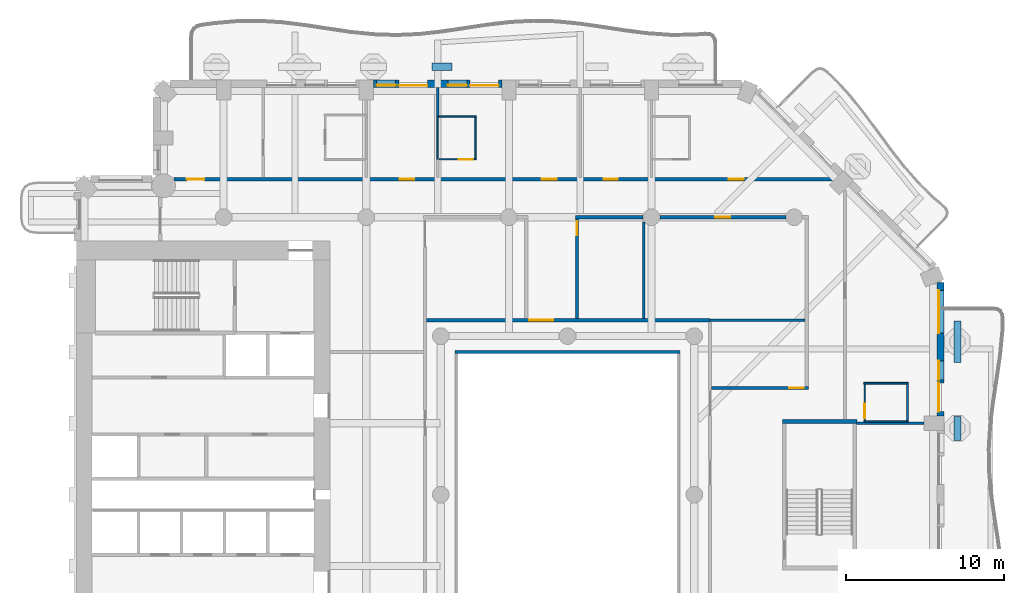
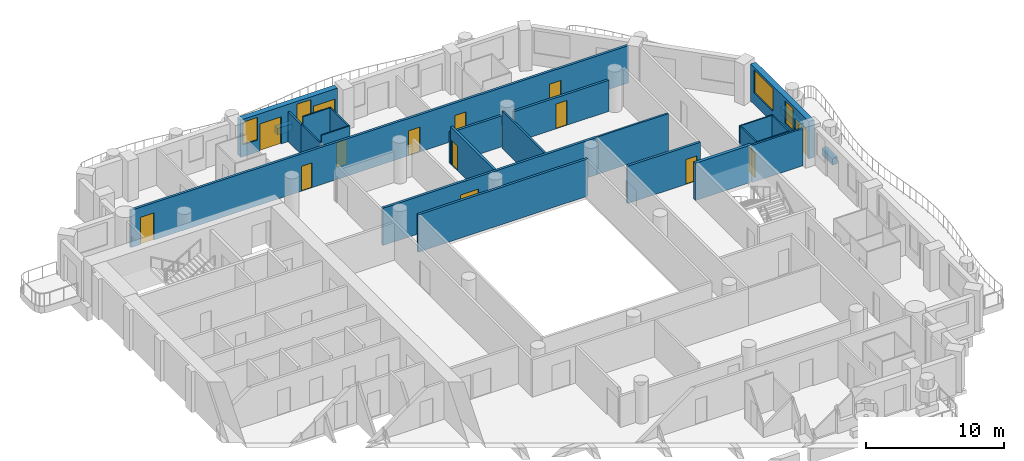
# One storey, part 8 of 19: 25 walls, 14 doors, 4 windows, 18 openings.
"""IFC4 building model written with IfcOpenShell, lengths in metres."""

from ifc_helpers import new_model, si_unit, direction, frame, frame_2d, origin, place, context, subcontext, project, spatial, rectangle, extrude, material, layer, layer_set, type_object, element, fill, save


model = new_model("IFC4")

# Units and contexts
model_context = context("Model", 3, precision=1e-05, world=origin(), true_north=direction((0.0, 1.0)))
body_context = subcontext(model_context, "Body", "Model", "MODEL_VIEW")
ifc_project = project(units=[si_unit("LENGTHUNIT", "METRE"), si_unit("AREAUNIT", "SQUARE_METRE"), si_unit("VOLUMEUNIT", "CUBIC_METRE"), si_unit("PLANEANGLEUNIT", "RADIAN"), si_unit("MASSUNIT", "GRAM", prefix="KILO")], contexts=[model_context])

# Site, building, storey
site_placement = place(None, origin())
site = spatial("IfcSite", under=ifc_project, at=site_placement, CompositionType="ELEMENT")
building_placement = place(site_placement, origin())
building = spatial("IfcBuilding", under=site, at=building_placement, Name="Cypress Arch Tower", CompositionType="ELEMENT")
storey_placement = place(building_placement, frame((0.0, 0.0, 105.89990234375)))
storey = spatial("IfcBuildingStorey", under=building, at=storey_placement, Name="L21", CompositionType="ELEMENT", Elevation=105.89990234375)

# Walls
ifc_material_1 = material(Name="Concrete C40/50, waterproofed", Category="concrete")
ifc_layer_1 = layer(ifc_material_1, 0.449951171875)
ifc_layer_set_1 = layer_set([ifc_layer_1], Name="Balcony planter wall PW450")
wall_type_1 = type_object("IfcWallType", Name="Balcony planter wall PW450", PredefinedType="SOLIDWALL", material=ifc_layer_set_1)
wall_1_placement = place(storey_placement, frame((25.60009765625, 3.42138671875, 0.0), z_axis=(0.0, 0.0, 1.0), x_axis=(0.0, 1.0, 0.0)))
element("IfcWall", 1, at=wall_1_placement, inside=storey, type_object=wall_type_1, Name="Balcony planter wall L21-A06.3", PredefinedType="SOLIDWALL", context=body_context, shape_type="SweptSolid", body=[
    extrude(rectangle(XDim=1.5224609375, YDim=0.449951171875, at=frame_2d((0.76123046875, 0.0))), origin(), (0.0, 0.0, 1.0), 0.60009765625),
])
wall_2_placement = place(storey_placement, frame((25.60009765625, 8.335693359375, 0.0), z_axis=(0.0, 0.0, 1.0), x_axis=(0.0, 1.0, 0.0)))
element("IfcWall", 2, at=wall_2_placement, inside=storey, type_object=wall_type_1, Name="Balcony planter wall L21-A06.4", PredefinedType="SOLIDWALL", context=body_context, shape_type="SweptSolid", body=[
    extrude(rectangle(XDim=2.6142578125, YDim=0.449951171875, at=frame_2d((1.30712890625, 0.0))), origin(), (0.0, 0.0, 1.0), 0.60009765625),
])
wall_3_placement = place(storey_placement, frame((-6.300048828125, 27.0, 0.0), z_axis=(0.0, 0.0, 1.0), x_axis=(-1.0, 0.0, 0.0)))
element("IfcWall", 3, at=wall_3_placement, inside=storey, type_object=wall_type_1, Name="Balcony planter wall L21-A08.3", PredefinedType="SOLIDWALL", context=body_context, shape_type="SweptSolid", body=[
    extrude(rectangle(XDim=1.25, YDim=0.449951171875, at=frame_2d((0.625, 0.0))), origin(), (0.0, 0.0, 1.0), 0.60009765625),
])

# Wall, openings, door, windows
ifc_material_2 = material(Name="Brick (red buff blend)", Category="masonry")
ifc_layer_2 = layer(ifc_material_2, 0.449951171875)
ifc_layer_set_2 = layer_set([ifc_layer_2], Name="Brick pier and spandrel wall BW450")
wall_type_2 = type_object("IfcWallType", Name="Brick pier and spandrel wall BW450", PredefinedType="SOLIDWALL", material=ifc_layer_set_2)
wall_4_placement = place(storey_placement, frame((24.52490234375, 4.949951171875, 0.0), z_axis=(0.0, 0.0, 1.0), x_axis=(0.0, 1.0, 0.0)))
wall_4 = element("IfcWall", 4, at=wall_4_placement, inside=storey, type_object=wall_type_2, Name="Brick wall L21 A06.3", PredefinedType="SOLIDWALL", context=body_context, shape_type="SweptSolid", body=[
    extrude(rectangle(XDim=8.438720703125, YDim=0.449951171875, at=frame_2d((4.21923828125, 0.0))), origin(), (0.0, 0.0, 1.0), 3.300048828125),
])
opening_1_placement = place(wall_4_placement, frame((0.2939453125, 0.0, 0.0)))
opening_1 = element("IfcOpeningElement", 5, at=opening_1_placement, cuts=wall_4, Name="Opening D-L21-A06.3.1", PredefinedType="OPENING", context=body_context, shape_type="SweptSolid", body=[
    extrude(rectangle(XDim=1.800048828125, YDim=2.39990234375, at=frame_2d((0.89990234375, 1.199951171875))), frame((0.0, 0.23486328125, 0.0), z_axis=(0.0, -1.0, 0.0), x_axis=(1.0, 0.0, 0.0)), (0.0, 0.0, 1.0), 0.469970703125),
])
opening_2_placement = place(wall_4_placement, frame((2.2939453125, 0.0, 1.050048828125)))
opening_2 = element("IfcOpeningElement", 6, at=opening_2_placement, cuts=wall_4, Name="Opening W120HD", PredefinedType="OPENING", context=body_context, shape_type="SweptSolid", body=[
    extrude(rectangle(XDim=1.199951171875, YDim=2.0, at=frame_2d((0.60009765625, 1.0))), frame((0.0, 0.23486328125, 0.0), z_axis=(0.0, -1.0, 0.0), x_axis=(1.0, 0.0, 0.0)), (0.0, 0.0, 1.0), 0.469970703125),
])
opening_3_placement = place(wall_4_placement, frame((5.231689453125, 0.0, 1.050048828125)))
opening_3 = element("IfcOpeningElement", 7, at=opening_3_placement, cuts=wall_4, Name="Opening W270HD", PredefinedType="OPENING", context=body_context, shape_type="SweptSolid", body=[
    extrude(rectangle(XDim=2.699951171875, YDim=2.0, at=frame_2d((1.35009765625, 1.0))), frame((0.0, 0.23486328125, 0.0), z_axis=(0.0, -1.0, 0.0), x_axis=(1.0, 0.0, 0.0)), (0.0, 0.0, 1.0), 0.469970703125),
])
ifc_material_3 = material(Name="Anodised aluminium, bronze finish, laminated low-emissivity double glazing, large-missile impact rated", Category="aluminium")
door_type_1 = type_object("IfcDoorType", Name="Balcony sliding door 1800x2400", OperationType="SLIDING_TO_LEFT", PredefinedType="DOOR", material=ifc_material_3)
door_1_placement = place(opening_1_placement, origin())
door_1 = element("IfcDoor", 8, at=door_1_placement, inside=storey, type_object=door_type_1, Name="Balcony door L21 A06.3.1", OperationType="SLIDING_TO_LEFT", OverallHeight=2.39990234375, OverallWidth=1.800048828125, PredefinedType="DOOR", context=body_context, shape_type="SweptSolid", body=[
    extrude(rectangle(XDim=1.800048828125, YDim=2.39990234375, at=frame_2d((0.89990234375, 1.199951171875))), frame((0.0, 0.1298828125, 0.0), z_axis=(0.0, -1.0, 0.0), x_axis=(1.0, 0.0, 0.0)), (0.0, 0.0, 1.0), 0.050048828125),
])
fill(opening_1, door_1)
ifc_material_4 = material(Name="Anodised aluminium, bronze finish, laminated low-emissivity double glazing, large-missile impact rated", Category="aluminium")
window_type_1 = type_object("IfcWindowType", Name="Window Hotel 1200x2000 debris-rated", PartitioningType="SINGLE_PANEL", PredefinedType="WINDOW", material=ifc_material_4)
window_1_placement = place(opening_2_placement, origin())
window_1 = element("IfcWindow", 9, at=window_1_placement, inside=storey, type_object=window_type_1, Name="Window L21 A06.3.1", OverallHeight=2.0, OverallWidth=1.199951171875, PartitioningType="SINGLE_PANEL", PredefinedType="WINDOW", context=body_context, shape_type="SweptSolid", body=[
    extrude(rectangle(XDim=1.199951171875, YDim=2.0, at=frame_2d((0.60009765625, 1.0))), frame((0.0, 0.135009765625, 0.0), z_axis=(0.0, -1.0, 0.0), x_axis=(1.0, 0.0, 0.0)), (0.0, 0.0, 1.0), 0.06005859375),
])
fill(opening_2, window_1)
ifc_material_5 = material(Name="Anodised aluminium, bronze finish, laminated low-emissivity double glazing, large-missile impact rated", Category="aluminium")
window_type_2 = type_object("IfcWindowType", Name="Window Hotel 2700x2000 debris-rated", PartitioningType="SINGLE_PANEL", PredefinedType="WINDOW", material=ifc_material_5)
window_2_placement = place(opening_3_placement, origin())
window_2 = element("IfcWindow", 10, at=window_2_placement, inside=storey, type_object=window_type_2, Name="Window L21 A06.3.2", OverallHeight=2.0, OverallWidth=2.699951171875, PartitioningType="SINGLE_PANEL", PredefinedType="WINDOW", context=body_context, shape_type="SweptSolid", body=[
    extrude(rectangle(XDim=2.699951171875, YDim=2.0, at=frame_2d((1.35009765625, 1.0))), frame((0.0, 0.135009765625, 0.0), z_axis=(0.0, -1.0, 0.0), x_axis=(1.0, 0.0, 0.0)), (0.0, 0.0, 1.0), 0.06005859375),
])
fill(opening_3, window_2)

# Wall, openings, doors, windows
wall_5_placement = place(storey_placement, frame((-3.14990234375, 25.925048828125, 0.0), z_axis=(0.0, 0.0, 1.0), x_axis=(-1.0, 0.0, 0.0)))
wall_5 = element("IfcWall", 11, at=wall_5_placement, inside=storey, type_object=wall_type_2, Name="Brick wall L21 A08.2", PredefinedType="SOLIDWALL", context=body_context, shape_type="SweptSolid", body=[
    extrude(rectangle(XDim=8.10009765625, YDim=0.449951171875, at=frame_2d((4.050048828125, 0.0))), origin(), (0.0, 0.0, 1.0), 3.300048828125),
])
opening_4_placement = place(wall_5_placement, frame((0.199951171875, 0.0, 0.0)))
opening_4 = element("IfcOpeningElement", 12, at=opening_4_placement, cuts=wall_5, Name="Opening D-L21-A08.2.1", PredefinedType="OPENING", context=body_context, shape_type="SweptSolid", body=[
    extrude(rectangle(XDim=1.800048828125, YDim=2.39990234375, at=frame_2d((0.89990234375, 1.199951171875))), frame((0.0, 0.23486328125, 0.0), z_axis=(0.0, -1.0, 0.0), x_axis=(1.0, 0.0, 0.0)), (0.0, 0.0, 1.0), 0.469970703125),
])
opening_5_placement = place(wall_5_placement, frame((2.199951171875, 0.0, 1.050048828125)))
opening_5 = element("IfcOpeningElement", 13, at=opening_5_placement, cuts=wall_5, Name="Opening W120HD", PredefinedType="OPENING", context=body_context, shape_type="SweptSolid", body=[
    extrude(rectangle(XDim=1.199951171875, YDim=2.0, at=frame_2d((0.60009765625, 1.0))), frame((0.0, 0.23486328125, 0.0), z_axis=(0.0, -1.0, 0.0), x_axis=(1.0, 0.0, 0.0)), (0.0, 0.0, 1.0), 0.469970703125),
])
opening_6_placement = place(wall_5_placement, frame((4.699951171875, 0.0, 0.0)))
opening_6 = element("IfcOpeningElement", 14, at=opening_6_placement, cuts=wall_5, Name="Opening D-L21-A08.2.2", PredefinedType="OPENING", context=body_context, shape_type="SweptSolid", body=[
    extrude(rectangle(XDim=1.800048828125, YDim=2.39990234375, at=frame_2d((0.89990234375, 1.199951171875))), frame((0.0, 0.23486328125, 0.0), z_axis=(0.0, -1.0, 0.0), x_axis=(1.0, 0.0, 0.0)), (0.0, 0.0, 1.0), 0.469970703125),
])
opening_7_placement = place(wall_5_placement, frame((6.699951171875, 0.0, 1.050048828125)))
opening_7 = element("IfcOpeningElement", 15, at=opening_7_placement, cuts=wall_5, Name="Opening W120HD", PredefinedType="OPENING", context=body_context, shape_type="SweptSolid", body=[
    extrude(rectangle(XDim=1.199951171875, YDim=2.0, at=frame_2d((0.60009765625, 1.0))), frame((0.0, 0.23486328125, 0.0), z_axis=(0.0, -1.0, 0.0), x_axis=(1.0, 0.0, 0.0)), (0.0, 0.0, 1.0), 0.469970703125),
])
door_2_placement = place(opening_4_placement, origin())
door_2 = element("IfcDoor", 16, at=door_2_placement, inside=storey, type_object=door_type_1, Name="Balcony door L21 A08.2.1", OperationType="SLIDING_TO_LEFT", OverallHeight=2.39990234375, OverallWidth=1.800048828125, PredefinedType="DOOR", context=body_context, shape_type="SweptSolid", body=[
    extrude(rectangle(XDim=1.800048828125, YDim=2.39990234375, at=frame_2d((0.89990234375, 1.199951171875))), frame((0.0, 0.1298828125, 0.0), z_axis=(0.0, -1.0, 0.0), x_axis=(1.0, 0.0, 0.0)), (0.0, 0.0, 1.0), 0.050048828125),
])
fill(opening_4, door_2)
door_3_placement = place(opening_6_placement, origin())
door_3 = element("IfcDoor", 17, at=door_3_placement, inside=storey, type_object=door_type_1, Name="Balcony door L21 A08.2.2", OperationType="SLIDING_TO_LEFT", OverallHeight=2.39990234375, OverallWidth=1.800048828125, PredefinedType="DOOR", context=body_context, shape_type="SweptSolid", body=[
    extrude(rectangle(XDim=1.800048828125, YDim=2.39990234375, at=frame_2d((0.89990234375, 1.199951171875))), frame((0.0, 0.1298828125, 0.0), z_axis=(0.0, -1.0, 0.0), x_axis=(1.0, 0.0, 0.0)), (0.0, 0.0, 1.0), 0.050048828125),
])
fill(opening_6, door_3)
window_3_placement = place(opening_5_placement, origin())
window_3 = element("IfcWindow", 18, at=window_3_placement, inside=storey, type_object=window_type_1, Name="Window L21 A08.2.1", OverallHeight=2.0, OverallWidth=1.199951171875, PartitioningType="SINGLE_PANEL", PredefinedType="WINDOW", context=body_context, shape_type="SweptSolid", body=[
    extrude(rectangle(XDim=1.199951171875, YDim=2.0, at=frame_2d((0.60009765625, 1.0))), frame((0.0, 0.135009765625, 0.0), z_axis=(0.0, -1.0, 0.0), x_axis=(1.0, 0.0, 0.0)), (0.0, 0.0, 1.0), 0.06005859375),
])
fill(opening_5, window_3)
window_4_placement = place(opening_7_placement, origin())
window_4 = element("IfcWindow", 19, at=window_4_placement, inside=storey, type_object=window_type_1, Name="Window L21 A08.2.2", OverallHeight=2.0, OverallWidth=1.199951171875, PartitioningType="SINGLE_PANEL", PredefinedType="WINDOW", context=body_context, shape_type="SweptSolid", body=[
    extrude(rectangle(XDim=1.199951171875, YDim=2.0, at=frame_2d((0.60009765625, 1.0))), frame((0.0, 0.135009765625, 0.0), z_axis=(0.0, -1.0, 0.0), x_axis=(1.0, 0.0, 0.0)), (0.0, 0.0, 1.0), 0.06005859375),
])
fill(opening_7, window_4)

# Wall, openings, doors
ifc_material_6 = material(Name="Concrete blockwork, plastered, rated", Category="masonry")
ifc_layer_3 = layer(ifc_material_6, 0.199951171875)
ifc_layer_set_3 = layer_set([ifc_layer_3], Name="Corridor wall FW200")
wall_type_3 = type_object("IfcWallType", Name="Corridor wall FW200", PredefinedType="PARTITIONING", material=ifc_layer_set_3)
wall_6_placement = place(storey_placement, frame((-23.82177734375, 19.89990234375, 0.0), z_axis=(0.0, 0.0, 1.0), x_axis=(1.0, 0.0, 0.0)))
wall_6 = element("IfcWall", 20, at=wall_6_placement, inside=storey, type_object=wall_type_3, Name="Corridor wall", PredefinedType="PARTITIONING", context=body_context, shape_type="SweptSolid", body=[
    extrude(rectangle(XDim=41.60546875, YDim=0.199951171875, at=frame_2d((20.802734375, 0.0))), origin(), (0.0, 0.0, 1.0), 3.300048828125),
])
opening_8_placement = place(wall_6_placement, frame((14.25, 0.0, 0.0)))
opening_8 = element("IfcOpeningElement", 21, at=opening_8_placement, cuts=wall_6, Name="Opening D05", PredefinedType="OPENING", context=body_context, shape_type="SweptSolid", body=[
    extrude(rectangle(XDim=0.89990234375, YDim=2.199951171875, at=frame_2d((0.449951171875, 1.10009765625))), frame((0.0, 0.10986328125, 0.0), z_axis=(0.0, -1.0, 0.0), x_axis=(1.0, 0.0, 0.0)), (0.0, 0.0, 1.0), 0.219970703125),
])
opening_9_placement = place(wall_6_placement, frame((27.10009765625, 0.0, 0.0)))
opening_9 = element("IfcOpeningElement", 22, at=opening_9_placement, cuts=wall_6, Name="Opening D05", PredefinedType="OPENING", context=body_context, shape_type="SweptSolid", body=[
    extrude(rectangle(XDim=0.89990234375, YDim=2.199951171875, at=frame_2d((0.449951171875, 1.10009765625))), frame((0.0, 0.10986328125, 0.0), z_axis=(0.0, -1.0, 0.0), x_axis=(1.0, 0.0, 0.0)), (0.0, 0.0, 1.0), 0.219970703125),
])
opening_10_placement = place(wall_6_placement, frame((0.800048828125, 0.0, 0.0)))
opening_10 = element("IfcOpeningElement", 23, at=opening_10_placement, cuts=wall_6, Name="Opening D01", PredefinedType="OPENING", context=body_context, shape_type="SweptSolid", body=[
    extrude(rectangle(XDim=1.10009765625, YDim=2.39990234375, at=frame_2d((0.550048828125, 1.199951171875))), frame((0.0, 0.10986328125, 0.0), z_axis=(0.0, -1.0, 0.0), x_axis=(1.0, 0.0, 0.0)), (0.0, 0.0, 1.0), 0.219970703125),
])
opening_11_placement = place(wall_6_placement, frame((23.199951171875, 0.0, 0.0)))
opening_11 = element("IfcOpeningElement", 24, at=opening_11_placement, cuts=wall_6, Name="Opening D02", PredefinedType="OPENING", context=body_context, shape_type="SweptSolid", body=[
    extrude(rectangle(XDim=0.949951171875, YDim=2.199951171875, at=frame_2d((0.47509765625, 1.10009765625))), frame((0.0, 0.10986328125, 0.0), z_axis=(0.0, -1.0, 0.0), x_axis=(1.0, 0.0, 0.0)), (0.0, 0.0, 1.0), 0.219970703125),
])
opening_12_placement = place(wall_6_placement, frame((35.0, 0.0, 0.0)))
opening_12 = element("IfcOpeningElement", 25, at=opening_12_placement, cuts=wall_6, Name="Opening D02", PredefinedType="OPENING", context=body_context, shape_type="SweptSolid", body=[
    extrude(rectangle(XDim=0.949951171875, YDim=2.199951171875, at=frame_2d((0.47509765625, 1.10009765625))), frame((0.0, 0.10986328125, 0.0), z_axis=(0.0, -1.0, 0.0), x_axis=(1.0, 0.0, 0.0)), (0.0, 0.0, 1.0), 0.219970703125),
])
ifc_material_7 = material(Name="Timber flush door, fire resisting", Category="wood")
door_type_2 = type_object("IfcDoorType", Name="Room door D02 950x2200", OperationType="SINGLE_SWING_LEFT", PredefinedType="DOOR", material=ifc_material_7)
door_4_placement = place(opening_11_placement, origin())
door_4 = element("IfcDoor", 26, at=door_4_placement, inside=storey, type_object=door_type_2, Name="Room door", OperationType="SINGLE_SWING_RIGHT", OverallHeight=2.199951171875, OverallWidth=0.949951171875, PredefinedType="DOOR", context=body_context, shape_type="SweptSolid", body=[
    extrude(rectangle(XDim=0.949951171875, YDim=2.199951171875, at=frame_2d((0.47509765625, 1.10009765625))), frame((0.0, 0.02490234375, 0.0), z_axis=(0.0, -1.0, 0.0), x_axis=(1.0, 0.0, 0.0)), (0.0, 0.0, 1.0), 0.050048828125),
])
fill(opening_11, door_4)
door_5_placement = place(opening_12_placement, origin())
door_5 = element("IfcDoor", 27, at=door_5_placement, inside=storey, type_object=door_type_2, Name="Room door", OperationType="SINGLE_SWING_RIGHT", OverallHeight=2.199951171875, OverallWidth=0.949951171875, PredefinedType="DOOR", context=body_context, shape_type="SweptSolid", body=[
    extrude(rectangle(XDim=0.949951171875, YDim=2.199951171875, at=frame_2d((0.47509765625, 1.10009765625))), frame((0.0, 0.02490234375, 0.0), z_axis=(0.0, -1.0, 0.0), x_axis=(1.0, 0.0, 0.0)), (0.0, 0.0, 1.0), 0.050048828125),
])
fill(opening_12, door_5)
ifc_material_8 = material(Name="Timber flush door", Category="wood")
door_type_3 = type_object("IfcDoorType", Name="Service door D05 900x2200", OperationType="SINGLE_SWING_LEFT", PredefinedType="DOOR", material=ifc_material_8)
door_6_placement = place(opening_8_placement, origin())
door_6 = element("IfcDoor", 28, at=door_6_placement, inside=storey, type_object=door_type_3, Name="Service door", OperationType="SINGLE_SWING_RIGHT", OverallHeight=2.199951171875, OverallWidth=0.89990234375, PredefinedType="DOOR", context=body_context, shape_type="SweptSolid", body=[
    extrude(rectangle(XDim=0.89990234375, YDim=2.199951171875, at=frame_2d((0.449951171875, 1.10009765625))), frame((0.0, 0.02490234375, 0.0), z_axis=(0.0, -1.0, 0.0), x_axis=(1.0, 0.0, 0.0)), (0.0, 0.0, 1.0), 0.050048828125),
])
fill(opening_8, door_6)
door_7_placement = place(opening_9_placement, origin())
door_7 = element("IfcDoor", 29, at=door_7_placement, inside=storey, type_object=door_type_3, Name="Service door", OperationType="SINGLE_SWING_LEFT", OverallHeight=2.199951171875, OverallWidth=0.89990234375, PredefinedType="DOOR", context=body_context, shape_type="SweptSolid", body=[
    extrude(rectangle(XDim=0.89990234375, YDim=2.199951171875, at=frame_2d((0.449951171875, 1.10009765625))), frame((0.0, 0.02490234375, 0.0), z_axis=(0.0, -1.0, 0.0), x_axis=(1.0, 0.0, 0.0)), (0.0, 0.0, 1.0), 0.050048828125),
])
fill(opening_9, door_7)
ifc_material_9 = material(Name="Timber flush door, fire resisting, self-closing", Category="wood")
door_type_4 = type_object("IfcDoorType", Name="Unit entrance door D01 1100x2400", OperationType="SINGLE_SWING_LEFT", PredefinedType="DOOR", material=ifc_material_9)
door_8_placement = place(opening_10_placement, origin())
door_8 = element("IfcDoor", 30, at=door_8_placement, inside=storey, type_object=door_type_4, Name="Unit entrance door", OperationType="SINGLE_SWING_LEFT", OverallHeight=2.39990234375, OverallWidth=1.10009765625, PredefinedType="DOOR", context=body_context, shape_type="SweptSolid", body=[
    extrude(rectangle(XDim=1.10009765625, YDim=2.39990234375, at=frame_2d((0.550048828125, 1.199951171875))), frame((0.0, 0.02490234375, 0.0), z_axis=(0.0, -1.0, 0.0), x_axis=(1.0, 0.0, 0.0)), (0.0, 0.0, 1.0), 0.050048828125),
])
fill(opening_10, door_8)

# Wall, opening, door
wall_7_placement = place(storey_placement, frame((-7.89990234375, 11.0, 0.0), z_axis=(0.0, 0.0, 1.0), x_axis=(1.0, 0.0, 0.0)))
wall_7 = element("IfcWall", 31, at=wall_7_placement, inside=storey, type_object=wall_type_3, Name="Corridor wall", PredefinedType="PARTITIONING", context=body_context, shape_type="SweptSolid", body=[
    extrude(rectangle(XDim=17.89990234375, YDim=0.199951171875, at=frame_2d((8.949951171875, 0.0))), origin(), (0.0, 0.0, 1.0), 3.300048828125),
])
opening_13_placement = place(wall_7_placement, frame((6.5, 0.0, 0.0)))
opening_13 = element("IfcOpeningElement", 32, at=opening_13_placement, cuts=wall_7, Name="Opening D04", PredefinedType="OPENING", context=body_context, shape_type="SweptSolid", body=[
    extrude(rectangle(XDim=1.5, YDim=2.199951171875, at=frame_2d((0.75, 1.10009765625))), frame((0.0, 0.10986328125, 0.0), z_axis=(0.0, -1.0, 0.0), x_axis=(1.0, 0.0, 0.0)), (0.0, 0.0, 1.0), 0.219970703125),
])
ifc_material_10 = material(Name="Timber double door", Category="wood")
door_type_5 = type_object("IfcDoorType", Name="Double door D04 1500x2200", OperationType="DOUBLE_DOOR_SINGLE_SWING", PredefinedType="DOOR", material=ifc_material_10)
door_9_placement = place(opening_13_placement, origin())
door_9 = element("IfcDoor", 33, at=door_9_placement, inside=storey, type_object=door_type_5, Name="Double door", OperationType="DOUBLE_DOOR_SINGLE_SWING", OverallHeight=2.199951171875, OverallWidth=1.5, PredefinedType="DOOR", context=body_context, shape_type="SweptSolid", body=[
    extrude(rectangle(XDim=1.5, YDim=2.199951171875, at=frame_2d((0.75, 1.10009765625))), frame((0.0, 0.02490234375, 0.0), z_axis=(0.0, -1.0, 0.0), x_axis=(1.0, 0.0, 0.0)), (0.0, 0.0, 1.0), 0.050048828125),
])
fill(opening_13, door_9)

# Wall
wall_8_placement = place(storey_placement, frame((-6.10009765625, 9.0, 0.0), z_axis=(0.0, 0.0, 1.0), x_axis=(1.0, 0.0, 0.0)))
element("IfcWall", 34, at=wall_8_placement, inside=storey, type_object=wall_type_3, Name="Corridor wall", PredefinedType="PARTITIONING", context=body_context, shape_type="SweptSolid", body=[
    extrude(rectangle(XDim=14.2001953125, YDim=0.199951171875, at=frame_2d((7.10009765625, 0.0))), origin(), (0.0, 0.0, 1.0), 3.300048828125),
])

# Wall, opening, door
wall_9_placement = place(storey_placement, frame((1.60009765625, 11.10009765625, 0.0), z_axis=(0.0, 0.0, 1.0), x_axis=(0.0, 1.0, 0.0)))
wall_9 = element("IfcWall", 35, at=wall_9_placement, inside=storey, type_object=wall_type_3, Name="Corridor wall", PredefinedType="PARTITIONING", context=body_context, shape_type="SweptSolid", body=[
    extrude(rectangle(XDim=6.2998046875, YDim=0.199951171875, at=frame_2d((3.14990234375, 0.0))), origin(), (0.0, 0.0, 1.0), 3.300048828125),
])
opening_14_placement = place(wall_9_placement, frame((5.25, 0.0, 0.0)))
opening_14 = element("IfcOpeningElement", 36, at=opening_14_placement, cuts=wall_9, Name="Opening D05", PredefinedType="OPENING", context=body_context, shape_type="SweptSolid", body=[
    extrude(rectangle(XDim=0.89990234375, YDim=2.199951171875, at=frame_2d((0.449951171875, 1.10009765625))), frame((0.0, 0.10986328125, 0.0), z_axis=(0.0, -1.0, 0.0), x_axis=(1.0, 0.0, 0.0)), (0.0, 0.0, 1.0), 0.219970703125),
])
door_10_placement = place(opening_14_placement, origin())
door_10 = element("IfcDoor", 37, at=door_10_placement, inside=storey, type_object=door_type_3, Name="Service door", OperationType="SINGLE_SWING_LEFT", OverallHeight=2.199951171875, OverallWidth=0.89990234375, PredefinedType="DOOR", context=body_context, shape_type="SweptSolid", body=[
    extrude(rectangle(XDim=0.89990234375, YDim=2.199951171875, at=frame_2d((0.449951171875, 1.10009765625))), frame((0.0, 0.02490234375, 0.0), z_axis=(0.0, -1.0, 0.0), x_axis=(1.0, 0.0, 0.0)), (0.0, 0.0, 1.0), 0.050048828125),
])
fill(opening_14, door_10)

# Wall
wall_10_placement = place(storey_placement, frame((1.5, 17.5, 0.0), z_axis=(0.0, 0.0, 1.0), x_axis=(1.0, 0.0, 0.0)))
element("IfcWall", 38, at=wall_10_placement, inside=storey, type_object=wall_type_3, Name="Corridor wall", PredefinedType="PARTITIONING", context=body_context, shape_type="SweptSolid", body=[
    extrude(rectangle(XDim=4.27490234375, YDim=0.199951171875, at=frame_2d((2.137451171875, 0.0))), origin(), (0.0, 0.0, 1.0), 2.75),
])

# Wall, opening, door
wall_11_placement = place(storey_placement, frame((6.824951171875, 17.5, 0.0), z_axis=(0.0, 0.0, 1.0), x_axis=(1.0, 0.0, 0.0)))
wall_11 = element("IfcWall", 39, at=wall_11_placement, inside=storey, type_object=wall_type_3, Name="Corridor wall", PredefinedType="PARTITIONING", context=body_context, shape_type="SweptSolid", body=[
    extrude(rectangle(XDim=7.949951171875, YDim=0.199951171875, at=frame_2d((3.97509765625, 0.0))), origin(), (0.0, 0.0, 1.0), 2.75),
])
opening_15_placement = place(wall_11_placement, frame((3.5, 0.0, 0.0)))
opening_15 = element("IfcOpeningElement", 40, at=opening_15_placement, cuts=wall_11, Name="Opening D02", PredefinedType="OPENING", context=body_context, shape_type="SweptSolid", body=[
    extrude(rectangle(XDim=0.949951171875, YDim=2.199951171875, at=frame_2d((0.47509765625, 1.10009765625))), frame((0.0, 0.10986328125, 0.0), z_axis=(0.0, -1.0, 0.0), x_axis=(1.0, 0.0, 0.0)), (0.0, 0.0, 1.0), 0.219970703125),
])
door_11_placement = place(opening_15_placement, origin())
door_11 = element("IfcDoor", 41, at=door_11_placement, inside=storey, type_object=door_type_2, Name="Room door", OperationType="SINGLE_SWING_RIGHT", OverallHeight=2.199951171875, OverallWidth=0.949951171875, PredefinedType="DOOR", context=body_context, shape_type="SweptSolid", body=[
    extrude(rectangle(XDim=0.949951171875, YDim=2.199951171875, at=frame_2d((0.47509765625, 1.10009765625))), frame((0.0, 0.02490234375, 0.0), z_axis=(0.0, -1.0, 0.0), x_axis=(1.0, 0.0, 0.0)), (0.0, 0.0, 1.0), 0.050048828125),
])
fill(opening_15, door_11)

wall_12_placement = place(storey_placement, frame((10.10009765625, 6.72509765625, 0.0), z_axis=(0.0, 0.0, 1.0), x_axis=(1.0, 0.0, 0.0)))
wall_12 = element("IfcWall", 42, at=wall_12_placement, inside=storey, type_object=wall_type_3, Name="Corridor wall", PredefinedType="PARTITIONING", context=body_context, shape_type="SweptSolid", body=[
    extrude(rectangle(XDim=6.099853515625, YDim=0.199951171875, at=frame_2d((3.0498046875, 0.0))), origin(), (0.0, 0.0, 1.0), 3.300048828125),
])
opening_16_placement = place(wall_12_placement, frame((4.89990234375, 0.0, 0.0)))
opening_16 = element("IfcOpeningElement", 43, at=opening_16_placement, cuts=wall_12, Name="Opening D05", PredefinedType="OPENING", context=body_context, shape_type="SweptSolid", body=[
    extrude(rectangle(XDim=0.89990234375, YDim=2.199951171875, at=frame_2d((0.449951171875, 1.10009765625))), frame((0.0, 0.10986328125, 0.0), z_axis=(0.0, -1.0, 0.0), x_axis=(1.0, 0.0, 0.0)), (0.0, 0.0, 1.0), 0.219970703125),
])
door_12_placement = place(opening_16_placement, origin())
door_12 = element("IfcDoor", 44, at=door_12_placement, inside=storey, type_object=door_type_3, Name="Service door", OperationType="SINGLE_SWING_RIGHT", OverallHeight=2.199951171875, OverallWidth=0.89990234375, PredefinedType="DOOR", context=body_context, shape_type="SweptSolid", body=[
    extrude(rectangle(XDim=0.89990234375, YDim=2.199951171875, at=frame_2d((0.449951171875, 1.10009765625))), frame((0.0, 0.02490234375, 0.0), z_axis=(0.0, -1.0, 0.0), x_axis=(1.0, 0.0, 0.0)), (0.0, 0.0, 1.0), 0.050048828125),
])
fill(opening_16, door_12)

# Walls
ifc_material_11 = material(Name="Blockwork, plastered both sides", Category="masonry")
ifc_layer_4 = layer(ifc_material_11, 0.14990234375)
ifc_layer_set_4 = layer_set([ifc_layer_4], Name="Partition PW150")
wall_type_4 = type_object("IfcWallType", Name="Partition PW150", PredefinedType="PARTITIONING", material=ifc_layer_set_4)
wall_13_placement = place(storey_placement, frame((-7.199951171875, 23.8701171875, 0.0), z_axis=(0.0, 0.0, 1.0), x_axis=(0.0, 1.0, 0.0)))
element("IfcWall", 45, at=wall_13_placement, inside=storey, type_object=wall_type_4, Name="Partition", PredefinedType="PARTITIONING", context=body_context, shape_type="SweptSolid", body=[
    extrude(rectangle(XDim=1.829833984375, YDim=0.14990234375, at=frame_2d((0.9150390625, 0.0))), origin(), (0.0, 0.0, 1.0), 2.650146484375),
])
wall_14_placement = place(storey_placement, frame((5.800048828125, 11.10009765625, 0.0), z_axis=(0.0, 0.0, 1.0), x_axis=(0.0, 1.0, 0.0)))
element("IfcWall", 46, at=wall_14_placement, inside=storey, type_object=wall_type_4, Name="Partition", PredefinedType="PARTITIONING", context=body_context, shape_type="SweptSolid", body=[
    extrude(rectangle(XDim=6.1083984375, YDim=0.14990234375, at=frame_2d((3.05419921875, 0.0))), origin(), (0.0, 0.0, 1.0), 3.300048828125),
])
wall_15_placement = place(storey_placement, frame((10.0, 11.0, 0.0), z_axis=(0.0, 0.0, 1.0), x_axis=(1.0, 0.0, 0.0)))
element("IfcWall", 47, at=wall_15_placement, inside=storey, type_object=wall_type_4, Name="Partition", PredefinedType="PARTITIONING", context=body_context, shape_type="SweptSolid", body=[
    extrude(rectangle(XDim=6.0, YDim=0.14990234375, at=frame_2d((3.0, 0.0))), origin(), (0.0, 0.0, 1.0), 3.300048828125),
])
wall_16_placement = place(storey_placement, frame((19.25, 4.5, 0.0), z_axis=(0.0, 0.0, 1.0), x_axis=(1.0, 0.0, 0.0)))
element("IfcWall", 48, at=wall_16_placement, inside=storey, type_object=wall_type_4, Name="Partition", PredefinedType="PARTITIONING", context=body_context, shape_type="SweptSolid", body=[
    extrude(rectangle(XDim=4.25, YDim=0.14990234375, at=frame_2d((2.125, 0.0))), origin(), (0.0, 0.0, 1.0), 3.300048828125),
])
ifc_material_12 = material(Name="Concrete C50/60", Category="concrete")
ifc_layer_5 = layer(ifc_material_12, 0.25)
ifc_layer_set_5 = layer_set([ifc_layer_5], Name="Stair enclosure wall SW250")
wall_type_5 = type_object("IfcWallType", Name="Stair enclosure wall SW250", PredefinedType="SHEAR", material=ifc_layer_set_5)
wall_17_placement = place(storey_placement, frame((14.550048828125, 4.625, 0.0), z_axis=(0.0, 0.0, 1.0), x_axis=(1.0, 0.0, 0.0)))
element("IfcWall", 49, at=wall_17_placement, inside=storey, type_object=wall_type_5, Name="Stair enclosure wall", PredefinedType="SHEAR", context=body_context, shape_type="SweptSolid", body=[
    extrude(rectangle(XDim=4.699951171875, YDim=0.25, at=frame_2d((2.35009765625, 0.0))), origin(), (0.0, 0.0, 1.0), 3.300048828125),
])
ifc_material_13 = material(Name="Moisture resistant board on steel studs, tiled", Category="steel")
ifc_layer_6 = layer(ifc_material_13, 0.10009765625)
ifc_layer_set_6 = layer_set([ifc_layer_6], Name="Wet wall PW100")
wall_type_6 = type_object("IfcWallType", Name="Wet wall PW100", PredefinedType="PARTITIONING", material=ifc_layer_set_6)
wall_18_placement = place(storey_placement, frame((-7.199951171875, 21.1298828125, 0.0), z_axis=(0.0, 0.0, 1.0), x_axis=(0.0, 1.0, 0.0)))
element("IfcWall", 50, at=wall_18_placement, inside=storey, type_object=wall_type_6, Name="Wet wall", PredefinedType="PARTITIONING", context=body_context, shape_type="SweptSolid", body=[
    extrude(rectangle(XDim=2.740234375, YDim=0.10009765625, at=frame_2d((1.3701171875, 0.0))), origin(), (0.0, 0.0, 1.0), 2.650146484375),
])

# Wall, opening, door
wall_19_placement = place(storey_placement, frame((-7.125, 21.14990234375, 0.0), z_axis=(0.0, 0.0, 1.0), x_axis=(1.0, 0.0, 0.0)))
wall_19 = element("IfcWall", 51, at=wall_19_placement, inside=storey, type_object=wall_type_6, Name="Wet wall", PredefinedType="PARTITIONING", context=body_context, shape_type="SweptSolid", body=[
    extrude(rectangle(XDim=2.37109375, YDim=0.10009765625, at=frame_2d((1.185546875, 0.0))), origin(), (0.0, 0.0, 1.0), 3.300048828125),
])
opening_17_placement = place(wall_19_placement, frame((1.25, 0.0, 0.0)))
opening_17 = element("IfcOpeningElement", 52, at=opening_17_placement, cuts=wall_19, Name="Opening D03", PredefinedType="OPENING", context=body_context, shape_type="SweptSolid", body=[
    extrude(rectangle(XDim=0.89990234375, YDim=2.199951171875, at=frame_2d((0.449951171875, 1.10009765625))), frame((0.0, 0.06005859375, 0.0), z_axis=(0.0, -1.0, 0.0), x_axis=(1.0, 0.0, 0.0)), (0.0, 0.0, 1.0), 0.1201171875),
])
ifc_material_14 = material(Name="Timber flush door, moisture resistant", Category="wood")
door_type_6 = type_object("IfcDoorType", Name="Bathroom door D03 900x2200", OperationType="SINGLE_SWING_LEFT", PredefinedType="DOOR", material=ifc_material_14)
door_13_placement = place(opening_17_placement, origin())
door_13 = element("IfcDoor", 53, at=door_13_placement, inside=storey, type_object=door_type_6, Name="Bathroom door", OperationType="SINGLE_SWING_RIGHT", OverallHeight=2.199951171875, OverallWidth=0.89990234375, PredefinedType="DOOR", context=body_context, shape_type="SweptSolid", body=[
    extrude(rectangle(XDim=0.89990234375, YDim=2.199951171875, at=frame_2d((0.449951171875, 1.10009765625))), frame((0.0, 0.02490234375, 0.0), z_axis=(0.0, -1.0, 0.0), x_axis=(1.0, 0.0, 0.0)), (0.0, 0.0, 1.0), 0.050048828125),
])
fill(opening_17, door_13)

# Walls
wall_20_placement = place(storey_placement, frame((-7.125, 23.85009765625, 0.0), z_axis=(0.0, 0.0, 1.0), x_axis=(1.0, 0.0, 0.0)))
element("IfcWall", 54, at=wall_20_placement, inside=storey, type_object=wall_type_6, Name="Wet wall", PredefinedType="PARTITIONING", context=body_context, shape_type="SweptSolid", body=[
    extrude(rectangle(XDim=2.37109375, YDim=0.10009765625, at=frame_2d((1.185546875, 0.0))), origin(), (0.0, 0.0, 1.0), 3.300048828125),
])
wall_21_placement = place(storey_placement, frame((-4.803955078125, 21.199951171875, 0.0), z_axis=(0.0, 0.0, 1.0), x_axis=(0.0, 1.0, 0.0)))
element("IfcWall", 55, at=wall_21_placement, inside=storey, type_object=wall_type_6, Name="Wet wall", PredefinedType="PARTITIONING", context=body_context, shape_type="SweptSolid", body=[
    extrude(rectangle(XDim=2.60009765625, YDim=0.10009765625, at=frame_2d((1.300048828125, 0.0))), origin(), (0.0, 0.0, 1.0), 3.300048828125),
])

# Wall, opening, door
wall_22_placement = place(storey_placement, frame((19.75, 4.675048828125, 0.0), z_axis=(0.0, 0.0, 1.0), x_axis=(0.0, 1.0, 0.0)))
wall_22 = element("IfcWall", 56, at=wall_22_placement, inside=storey, type_object=wall_type_6, Name="Wet wall", PredefinedType="PARTITIONING", context=body_context, shape_type="SweptSolid", body=[
    extrude(rectangle(XDim=2.300048828125, YDim=0.10009765625, at=frame_2d((1.14990234375, 0.0))), origin(), (0.0, 0.0, 1.0), 3.300048828125),
])
opening_18_placement = place(wall_22_placement, frame((0.14990234375, 0.0, 0.0)))
opening_18 = element("IfcOpeningElement", 57, at=opening_18_placement, cuts=wall_22, Name="Opening D03", PredefinedType="OPENING", context=body_context, shape_type="SweptSolid", body=[
    extrude(rectangle(XDim=0.89990234375, YDim=2.199951171875, at=frame_2d((0.449951171875, 1.10009765625))), frame((0.0, 0.06005859375, 0.0), z_axis=(0.0, -1.0, 0.0), x_axis=(1.0, 0.0, 0.0)), (0.0, 0.0, 1.0), 0.1201171875),
])
door_14_placement = place(opening_18_placement, origin())
door_14 = element("IfcDoor", 58, at=door_14_placement, inside=storey, type_object=door_type_6, Name="Bathroom door", OperationType="SINGLE_SWING_RIGHT", OverallHeight=2.199951171875, OverallWidth=0.89990234375, PredefinedType="DOOR", context=body_context, shape_type="SweptSolid", body=[
    extrude(rectangle(XDim=0.89990234375, YDim=2.199951171875, at=frame_2d((0.449951171875, 1.10009765625))), frame((0.0, 0.02490234375, 0.0), z_axis=(0.0, -1.0, 0.0), x_axis=(1.0, 0.0, 0.0)), (0.0, 0.0, 1.0), 0.050048828125),
])
fill(opening_18, door_14)

# Walls
for number, where, z_axis, x_axis, name in (
    (59, (19.700927734375, 4.625, 0.0), (0.0, 0.0, 1.0), (1.0, 0.0, 0.0), "Wet wall"),
    (60, (19.700927734375, 7.02490234375, 0.0), (0.0, 0.0, 1.0), (1.0, 0.0, 0.0), "Wet wall"),
):
    element("IfcWall", number, at=place(storey_placement, frame(where, z_axis=z_axis, x_axis=x_axis)), inside=storey, type_object=wall_type_6, Name=name, PredefinedType="PARTITIONING", context=body_context, shape_type="SweptSolid", body=[
        extrude(rectangle(XDim=2.800048828125, YDim=0.10009765625, at=frame_2d((1.39990234375, 0.0))), origin(), (0.0, 0.0, 1.0), 3.300048828125),
    ])
wall_23_placement = place(storey_placement, frame((22.449951171875, 4.675048828125, 0.0), z_axis=(0.0, 0.0, 1.0), x_axis=(0.0, 1.0, 0.0)))
element("IfcWall", 61, at=wall_23_placement, inside=storey, type_object=wall_type_6, Name="Wet wall", PredefinedType="PARTITIONING", context=body_context, shape_type="SweptSolid", body=[
    extrude(rectangle(XDim=2.300048828125, YDim=0.10009765625, at=frame_2d((1.14990234375, 0.0))), origin(), (0.0, 0.0, 1.0), 3.300048828125),
])

save(model, "model.ifc")
